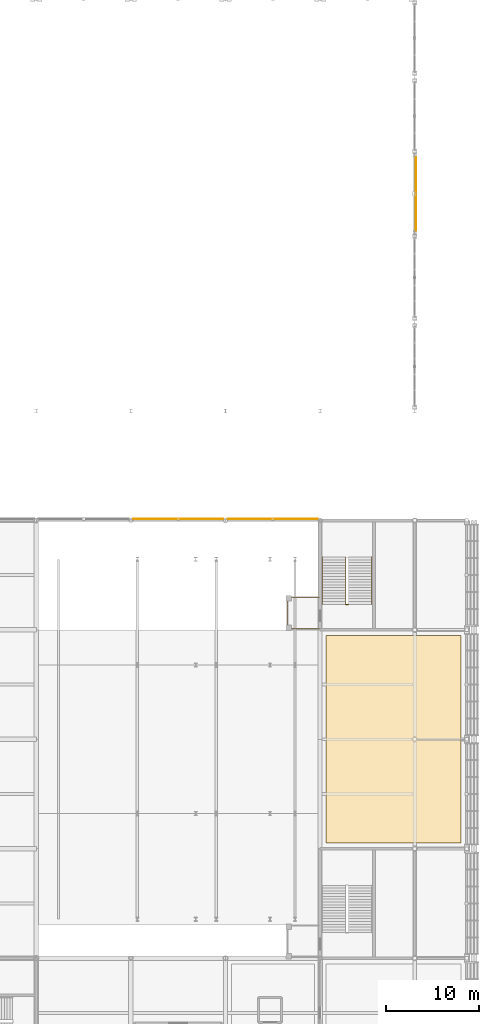
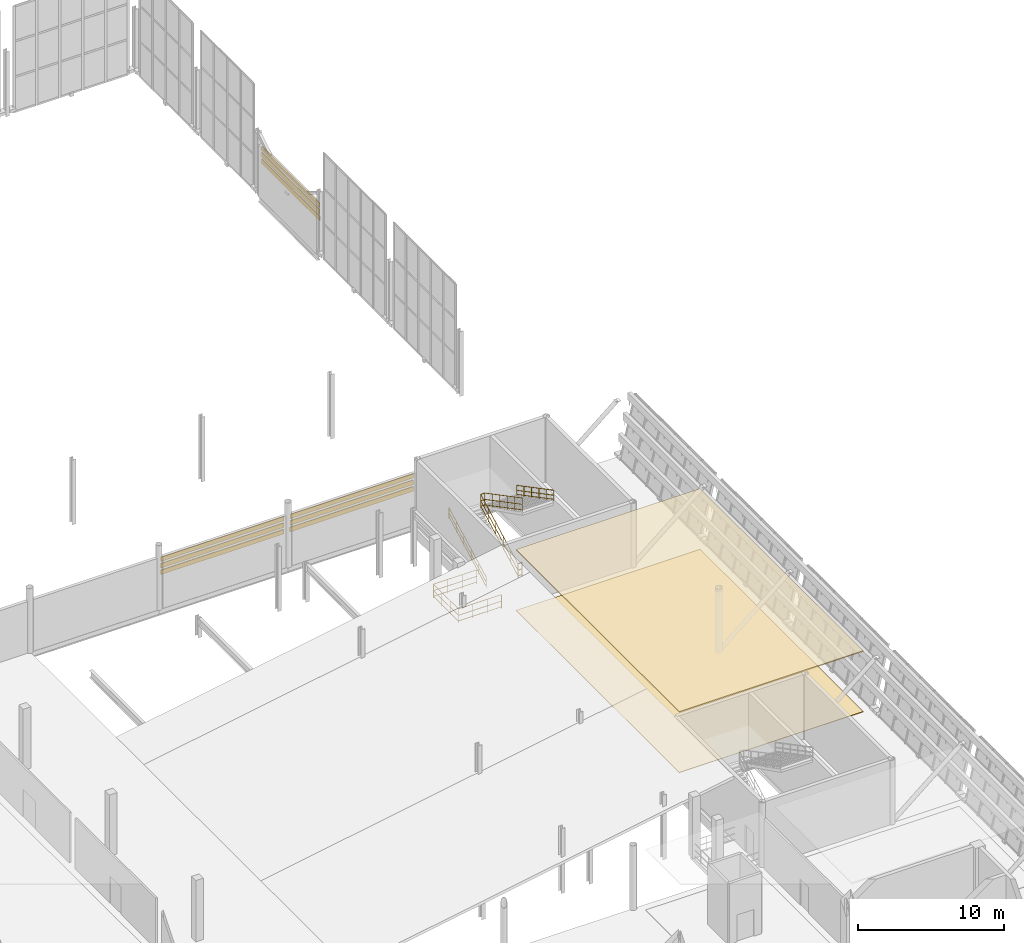
# One storey, part 172 of 175: 11 coverings, 5 railings.
"""IFC4 building model written with IfcOpenShell, lengths in metres."""

from ifc_helpers import new_model, si_unit, direction, frame, origin, origin_2d, place, context, subcontext, project, spatial, polyline, circle, outline, extrude, material, layer, layer_set, type_object, element, save


model = new_model("IFC4")

# Units and contexts
model_context = context("Model", 3, precision=1e-05, world=origin(), true_north=direction((0.0, 1.0)))
body_context = subcontext(model_context, "Body", "Model", "MODEL_VIEW")
ifc_project = project(units=[si_unit("LENGTHUNIT", "METRE"), si_unit("AREAUNIT", "SQUARE_METRE"), si_unit("VOLUMEUNIT", "CUBIC_METRE"), si_unit("PLANEANGLEUNIT", "RADIAN"), si_unit("MASSUNIT", "GRAM", prefix="KILO")], contexts=[model_context])

# Site, building, storey
site_placement = place(None, origin())
site = spatial("IfcSite", under=ifc_project, at=site_placement, CompositionType="ELEMENT")
building_placement = place(site_placement, origin())
building = spatial("IfcBuilding", under=site, at=building_placement, Name="Brelvane Convention Centre", CompositionType="ELEMENT")
storey_placement = place(building_placement, frame((0.0, 0.0, 5.39990234375)))
storey = spatial("IfcBuildingStorey", under=building, at=storey_placement, Name="L01", CompositionType="ELEMENT", Elevation=5.39990234375)

# Coverings
ifc_material_1 = material(Name="Patinated Copper-Bronze Alloy C22000")
ifc_layer_1 = layer(ifc_material_1, 0.044921875)
ifc_layer_set_1 = layer_set([ifc_layer_1], Name="Patinated Copper-Bronze Alloy C22000")
covering_type_1 = type_object("IfcCoveringType", Name="Envelope Covering CL-CU1", PredefinedType="CLADDING", material=ifc_layer_set_1)
covering_1_placement = place(storey_placement, frame((0.0, 0.0, 3.77001953125)))
element("IfcCovering", 1, at=covering_1_placement, inside=storey, type_object=covering_type_1, Name="Copper-Bronze Hull Band L01-V2N-L01-4-1", PredefinedType="CLADDING", context=body_context, shape_type="SweptSolid", body=[
    extrude(outline(polyline([(194.0400390625, 87.9208984375), (203.760009765625, 87.9208984375), (203.760009765625, 87.966064453125), (194.0400390625, 87.966064453125), (194.0400390625, 87.9208984375)])), origin(), (0.0, 0.0, 1.0), 0.380126953125),
])
covering_2_placement = place(storey_placement, frame((0.0, 0.0, 3.77001953125)))
element("IfcCovering", 2, at=covering_2_placement, inside=storey, type_object=covering_type_1, Name="Copper-Bronze Hull Band L01-V2N-L01-5-1", PredefinedType="CLADDING", context=body_context, shape_type="SweptSolid", body=[
    extrude(outline(polyline([(204.239990234375, 87.9208984375), (213.9599609375, 87.9208984375), (213.9599609375, 87.966064453125), (204.239990234375, 87.966064453125), (204.239990234375, 87.9208984375)])), origin(), (0.0, 0.0, 1.0), 0.380126953125),
])
covering_3_placement = place(storey_placement, frame((0.0, 0.0, 3.77001953125)))
element("IfcCovering", 3, at=covering_3_placement, inside=storey, type_object=covering_type_1, Name="Copper-Bronze Hull Band L01-V3E-L01-3-1", PredefinedType="CLADDING", context=body_context, shape_type="SweptSolid", body=[
    extrude(outline(polyline([(224.56591796875, 119.0400390625), (224.56591796875, 126.9599609375), (224.52099609375, 126.9599609375), (224.52099609375, 119.0400390625), (224.56591796875, 119.0400390625)])), origin(), (0.0, 0.0, 1.0), 0.380126953125),
])
ifc_material_2 = material(Name="Patinated Copper-Bronze Alloy C22000")
ifc_layer_2 = layer(ifc_material_2, 0.054931640625)
ifc_layer_set_2 = layer_set([ifc_layer_2], Name="Patinated Copper-Bronze Alloy C22000")
covering_type_2 = type_object("IfcCoveringType", Name="Envelope Covering CL-CU2", PredefinedType="CLADDING", material=ifc_layer_set_2)
covering_4_placement = place(storey_placement, frame((0.0, 0.0, 3.22021484375)))
element("IfcCovering", 4, at=covering_4_placement, inside=storey, type_object=covering_type_2, Name="Copper-Bronze Hull Band L01-V2N-L01-4-2", PredefinedType="CLADDING", context=body_context, shape_type="SweptSolid", body=[
    extrude(outline(polyline([(194.0400390625, 87.9208984375), (203.760009765625, 87.9208984375), (203.760009765625, 87.97607421875), (194.0400390625, 87.97607421875), (194.0400390625, 87.9208984375)])), origin(), (0.0, 0.0, 1.0), 0.3798828125),
])
covering_5_placement = place(storey_placement, frame((0.0, 0.0, 3.22021484375)))
element("IfcCovering", 5, at=covering_5_placement, inside=storey, type_object=covering_type_2, Name="Copper-Bronze Hull Band L01-V2N-L01-5-2", PredefinedType="CLADDING", context=body_context, shape_type="SweptSolid", body=[
    extrude(outline(polyline([(204.239990234375, 87.9208984375), (213.9599609375, 87.9208984375), (213.9599609375, 87.97607421875), (204.239990234375, 87.97607421875), (204.239990234375, 87.9208984375)])), origin(), (0.0, 0.0, 1.0), 0.3798828125),
])
covering_6_placement = place(storey_placement, frame((0.0, 0.0, 3.22021484375)))
element("IfcCovering", 6, at=covering_6_placement, inside=storey, type_object=covering_type_2, Name="Copper-Bronze Hull Band L01-V3E-L01-3-2", PredefinedType="CLADDING", context=body_context, shape_type="SweptSolid", body=[
    extrude(outline(polyline([(224.575927734375, 119.0400390625), (224.575927734375, 126.9599609375), (224.52099609375, 126.9599609375), (224.52099609375, 119.0400390625), (224.575927734375, 119.0400390625)])), origin(), (0.0, 0.0, 1.0), 0.3798828125),
])
ifc_material_3 = material(Name="Patinated Copper-Bronze Alloy C22000")
ifc_layer_3 = layer(ifc_material_3, 0.06494140625)
ifc_layer_set_3 = layer_set([ifc_layer_3], Name="Patinated Copper-Bronze Alloy C22000")
covering_type_3 = type_object("IfcCoveringType", Name="Envelope Covering CL-CU3", PredefinedType="CLADDING", material=ifc_layer_set_3)
covering_7_placement = place(storey_placement, frame((0.0, 0.0, 2.670166015625)))
element("IfcCovering", 7, at=covering_7_placement, inside=storey, type_object=covering_type_3, Name="Copper-Bronze Hull Band L01-V2N-L01-4-3", PredefinedType="CLADDING", context=body_context, shape_type="SweptSolid", body=[
    extrude(outline(polyline([(194.0400390625, 87.9208984375), (203.760009765625, 87.9208984375), (203.760009765625, 87.986083984375), (194.0400390625, 87.986083984375), (194.0400390625, 87.9208984375)])), origin(), (0.0, 0.0, 1.0), 0.3798828125),
])
covering_8_placement = place(storey_placement, frame((0.0, 0.0, 2.670166015625)))
element("IfcCovering", 8, at=covering_8_placement, inside=storey, type_object=covering_type_3, Name="Copper-Bronze Hull Band L01-V2N-L01-5-3", PredefinedType="CLADDING", context=body_context, shape_type="SweptSolid", body=[
    extrude(outline(polyline([(204.239990234375, 87.9208984375), (213.9599609375, 87.9208984375), (213.9599609375, 87.986083984375), (204.239990234375, 87.986083984375), (204.239990234375, 87.9208984375)])), origin(), (0.0, 0.0, 1.0), 0.3798828125),
])
covering_9_placement = place(storey_placement, frame((0.0, 0.0, 2.670166015625)))
element("IfcCovering", 9, at=covering_9_placement, inside=storey, type_object=covering_type_3, Name="Copper-Bronze Hull Band L01-V3E-L01-3-3", PredefinedType="CLADDING", context=body_context, shape_type="SweptSolid", body=[
    extrude(outline(polyline([(224.5859375, 119.0400390625), (224.5859375, 126.9599609375), (224.52099609375, 126.9599609375), (224.52099609375, 119.0400390625), (224.5859375, 119.0400390625)])), origin(), (0.0, 0.0, 1.0), 0.3798828125),
])
ifc_material_4 = material(Name="Perforated Anodised Aluminium Alloy 6063 Acoustic Baffle", Category="aluminium")
ifc_layer_4 = layer(ifc_material_4, 0.090087890625)
ifc_layer_set_4 = layer_set([ifc_layer_4], Name="Perforated Anodised Aluminium Alloy 6063 Acoustic Baffle")
covering_type_4 = type_object("IfcCoveringType", Name="Interior Finish CL-BAF-90", PredefinedType="CEILING", material=ifc_layer_set_4)
covering_10_placement = place(storey_placement, frame((0.0, 0.0, 5.030029296875)))
element("IfcCovering", 10, at=covering_10_placement, inside=storey, type_object=covering_type_4, Name="Pre-function Foyer Plenary East Acoustic Ceiling (CL-BAF-90)", PredefinedType="CEILING", context=body_context, shape_type="SweptSolid", body=[
    extrude(outline(polyline([(214.830078125, 53.030029296875), (229.3701171875, 53.030029296875), (229.3701171875, 75.3701171875), (214.830078125, 75.3701171875), (214.830078125, 53.030029296875)])), origin(), (0.0, 0.0, 1.0), 0.090087890625),
])
ifc_material_5 = material(Name="Heavy-Duty Quartz-Filled Industrial Epoxy Screed Grade A")
ifc_layer_5 = layer(ifc_material_5, 0.034912109375)
ifc_layer_set_5 = layer_set([ifc_layer_5], Name="Heavy-Duty Quartz-Filled Industrial Epoxy Screed Grade A")
covering_type_5 = type_object("IfcCoveringType", Name="Interior Finish FL-EPX-35", PredefinedType="FLOORING", material=ifc_layer_set_5)
covering_11_placement = place(storey_placement, origin())
element("IfcCovering", 11, at=covering_11_placement, inside=storey, type_object=covering_type_5, Name="Pre-function Foyer Plenary East Floor Finish (FL-EPX-35)", PredefinedType="FLOORING", context=body_context, shape_type="SweptSolid", body=[
    extrude(outline(polyline([(214.830078125, 53.030029296875), (229.3701171875, 53.030029296875), (229.3701171875, 75.3701171875), (214.830078125, 75.3701171875), (214.830078125, 53.030029296875)])), origin(), (0.0, 0.0, 1.0), 0.03515625),
])

# Railings
ifc_material_6 = material(Name="Steel E350 (350 MPa)", Category="steel")
railing_type_1 = type_object("IfcRailingType", Name="Railing BL-ATR-1", PredefinedType="BALUSTRADE", material=ifc_material_6)
railing_1_placement = place(storey_placement, frame((214.10009765625, 79.5, 0.0)))
element("IfcRailing", 12, at=railing_1_placement, inside=storey, type_object=railing_type_1, Name="Railing BL-ATR-1 L01-plen_vom_n_guard", PredefinedType="BALUSTRADE", context=body_context, shape_type="SweptSolid", body=[
    extrude(circle(Radius=0.02392578125, at=origin_2d()), frame((0.0, 0.0, 1.15576171875), z_axis=(-1.0, 0.0, 0.0), x_axis=(0.0, -1.0, 0.0)), (0.0, 0.0, 1.0), 3.400146484375),
    extrude(circle(Radius=0.02392578125, at=origin_2d()), frame((0.0, 0.0, 0.613525390625), z_axis=(-1.0, 0.0, 0.0), x_axis=(0.0, -1.0, 0.0)), (0.0, 0.0, 1.0), 3.400146484375),
    extrude(circle(Radius=0.02392578125, at=origin_2d()), frame((0.0, 0.0, 0.139892578125), z_axis=(-1.0, 0.0, 0.0), x_axis=(0.0, -1.0, 0.0)), (0.0, 0.0, 1.0), 3.400146484375),
    extrude(circle(Radius=0.02392578125, at=origin_2d()), frame((-3.400146484375, 0.0, 1.15576171875), z_axis=(0.0, -1.0, 0.0), x_axis=(1.0, 0.0, 0.0)), (0.0, 0.0, 1.0), 3.39990234375),
    extrude(circle(Radius=0.02392578125, at=origin_2d()), frame((-3.400146484375, 0.0, 0.613525390625), z_axis=(0.0, -1.0, 0.0), x_axis=(1.0, 0.0, 0.0)), (0.0, 0.0, 1.0), 3.39990234375),
    extrude(circle(Radius=0.02392578125, at=origin_2d()), frame((-3.400146484375, 0.0, 0.139892578125), z_axis=(0.0, -1.0, 0.0), x_axis=(1.0, 0.0, 0.0)), (0.0, 0.0, 1.0), 3.39990234375),
    extrude(circle(Radius=0.02392578125, at=origin_2d()), frame((-3.400146484375, -3.39990234375, 1.15576171875), z_axis=(1.0, 0.0, 0.0), x_axis=(0.0, 1.0, 0.0)), (0.0, 0.0, 1.0), 3.400146484375),
    extrude(circle(Radius=0.02392578125, at=origin_2d()), frame((-3.400146484375, -3.39990234375, 0.613525390625), z_axis=(1.0, 0.0, 0.0), x_axis=(0.0, 1.0, 0.0)), (0.0, 0.0, 1.0), 3.400146484375),
    extrude(circle(Radius=0.02392578125, at=origin_2d()), frame((-3.400146484375, -3.39990234375, 0.139892578125), z_axis=(1.0, 0.0, 0.0), x_axis=(0.0, 1.0, 0.0)), (0.0, 0.0, 1.0), 3.400146484375),
    extrude(circle(Radius=0.02099609375, at=origin_2d()), origin(), (0.0, 0.0, 1.0), 1.1318359375),
    extrude(circle(Radius=0.02099609375, at=origin_2d()), frame((-1.13330078125, 0.0, 0.0)), (0.0, 0.0, 1.0), 1.1318359375),
    extrude(circle(Radius=0.02099609375, at=origin_2d()), frame((-2.266845703125, 0.0, 0.0)), (0.0, 0.0, 1.0), 1.1318359375),
    extrude(circle(Radius=0.02099609375, at=origin_2d()), frame((-3.400146484375, 0.0, 0.0)), (0.0, 0.0, 1.0), 1.1318359375),
    extrude(circle(Radius=0.02099609375, at=origin_2d()), frame((-3.400146484375, -1.13330078125, 0.0)), (0.0, 0.0, 1.0), 1.1318359375),
    extrude(circle(Radius=0.02099609375, at=origin_2d()), frame((-3.400146484375, -2.2666015625, 0.0)), (0.0, 0.0, 1.0), 1.1318359375),
    extrude(circle(Radius=0.02099609375, at=origin_2d()), frame((-3.400146484375, -3.39990234375, 0.0)), (0.0, 0.0, 1.0), 1.1318359375),
    extrude(circle(Radius=0.02099609375, at=origin_2d()), frame((-2.266845703125, -3.39990234375, 0.0)), (0.0, 0.0, 1.0), 1.1318359375),
    extrude(circle(Radius=0.02099609375, at=origin_2d()), frame((-1.13330078125, -3.39990234375, 0.0)), (0.0, 0.0, 1.0), 1.1318359375),
    extrude(circle(Radius=0.02099609375, at=origin_2d()), frame((0.0, -3.39990234375, 0.0)), (0.0, 0.0, 1.0), 1.1318359375),
])
ifc_material_7 = material(Name="Steel E350 (350 MPa)", Category="steel")
railing_type_2 = type_object("IfcRailingType", Name="Stair Railing GR-ST-1", PredefinedType="GUARDRAIL", material=ifc_material_7)
railing_2_placement = place(storey_placement, frame((216.93994140625, 78.75, -0.02001953125)))
element("IfcRailing", 13, at=railing_2_placement, inside=storey, type_object=railing_type_2, Name="Stair ST-16 L01 Inner Well Guard", PredefinedType="GUARDRAIL", context=body_context, shape_type="SweptSolid", body=[
    extrude(circle(Radius=0.02392578125, at=origin_2d()), frame((0.0, 0.0, 1.1259765625), z_axis=(0.0, 0.882341248864, 0.470610157724), x_axis=(-1.0, 0.0, 0.0)), (0.0, 0.0, 1.0), 5.7802734375),
    extrude(circle(Radius=0.02392578125, at=origin_2d()), frame((0.0, 0.0, 0.597900390625), z_axis=(0.0, 0.882341248864, 0.470610157724), x_axis=(-1.0, 0.0, 0.0)), (0.0, 0.0, 1.0), 5.7802734375),
    extrude(circle(Radius=0.02392578125, at=origin_2d()), frame((0.0, 0.0, 0.139892578125), z_axis=(0.0, 0.882341248864, 0.470610157724), x_axis=(-1.0, 0.0, 0.0)), (0.0, 0.0, 1.0), 5.7802734375),
    extrude(circle(Radius=0.02392578125, at=origin_2d()), frame((0.0, 5.10009765625, 3.84619140625), z_axis=(1.0, 0.0, 0.0), x_axis=(0.0, 1.0, 0.0)), (0.0, 0.0, 1.0), 0.320068359375),
    extrude(circle(Radius=0.02392578125, at=origin_2d()), frame((0.0, 5.10009765625, 3.318115234375), z_axis=(1.0, 0.0, 0.0), x_axis=(0.0, 1.0, 0.0)), (0.0, 0.0, 1.0), 0.320068359375),
    extrude(circle(Radius=0.02392578125, at=origin_2d()), frame((0.0, 5.10009765625, 2.860107421875), z_axis=(1.0, 0.0, 0.0), x_axis=(0.0, 1.0, 0.0)), (0.0, 0.0, 1.0), 0.320068359375),
    extrude(circle(Radius=0.02392578125, at=origin_2d()), frame((0.320068359375, 5.10009765625, 3.84619140625), z_axis=(0.0, -0.885227801088, 0.465157758379), x_axis=(1.0, 0.0, 0.0)), (0.0, 0.0, 1.0), 5.76123046875),
    extrude(circle(Radius=0.02392578125, at=origin_2d()), frame((0.320068359375, 5.10009765625, 3.318115234375), z_axis=(0.0, -0.885227801088, 0.465157758379), x_axis=(1.0, 0.0, 0.0)), (0.0, 0.0, 1.0), 5.76123046875),
    extrude(circle(Radius=0.02392578125, at=origin_2d()), frame((0.320068359375, 5.10009765625, 2.860107421875), z_axis=(0.0, -0.885227801088, 0.465157758379), x_axis=(1.0, 0.0, 0.0)), (0.0, 0.0, 1.0), 5.76123046875),
    extrude(circle(Radius=0.02099609375, at=origin_2d()), origin(), (0.0, 0.0, 1.0), 1.101806640625),
    extrude(circle(Radius=0.02099609375, at=origin_2d()), frame((0.0, 1.02001953125, 0.5439453125)), (0.0, 0.0, 1.0), 1.101806640625),
    extrude(circle(Radius=0.02099609375, at=origin_2d()), frame((0.0, 2.0400390625, 1.088134765625)), (0.0, 0.0, 1.0), 1.101806640625),
    extrude(circle(Radius=0.02099609375, at=origin_2d()), frame((0.0, 3.06005859375, 1.632080078125)), (0.0, 0.0, 1.0), 1.101806640625),
    extrude(circle(Radius=0.02099609375, at=origin_2d()), frame((0.0, 4.080078125, 2.17626953125)), (0.0, 0.0, 1.0), 1.101806640625),
    extrude(circle(Radius=0.02099609375, at=origin_2d()), frame((0.0, 5.10009765625, 2.72021484375)), (0.0, 0.0, 1.0), 1.101806640625),
    extrude(circle(Radius=0.02099609375, at=origin_2d()), frame((0.320068359375, 5.10009765625, 2.72021484375)), (0.0, 0.0, 1.0), 1.101806640625),
    extrude(circle(Radius=0.02099609375, at=origin_2d()), frame((0.320068359375, 4.080078125, 3.256103515625)), (0.0, 0.0, 1.0), 1.101806640625),
    extrude(circle(Radius=0.02099609375, at=origin_2d()), frame((0.320068359375, 3.06005859375, 3.792236328125)), (0.0, 0.0, 1.0), 1.101806640625),
    extrude(circle(Radius=0.02099609375, at=origin_2d()), frame((0.320068359375, 2.0400390625, 4.328125)), (0.0, 0.0, 1.0), 1.101806640625),
    extrude(circle(Radius=0.02099609375, at=origin_2d()), frame((0.320068359375, 1.02001953125, 4.8642578125)), (0.0, 0.0, 1.0), 1.101806640625),
    extrude(circle(Radius=0.02099609375, at=origin_2d()), frame((0.320068359375, 0.0, 5.400146484375)), (0.0, 0.0, 1.0), 1.101806640625),
])
ifc_material_8 = material(Name="Steel E350 (350 MPa)", Category="steel")
railing_type_3 = type_object("IfcRailingType", Name="Stair Railing GR-ST-2", PredefinedType="GUARDRAIL", material=ifc_material_8)
railing_3_placement = place(storey_placement, frame((216.93994140625, 78.75, -0.02001953125)))
element("IfcRailing", 14, at=railing_3_placement, inside=storey, type_object=railing_type_3, Name="Stair ST-16 L01 Landing Well Guard", PredefinedType="GUARDRAIL", context=body_context, shape_type="SweptSolid", body=[
    extrude(circle(Radius=0.02392578125, at=origin_2d()), frame((0.0, 0.0, 1.15576171875), z_axis=(1.0, 0.0, 0.0), x_axis=(0.0, 1.0, 0.0)), (0.0, 0.0, 1.0), 0.320068359375),
    extrude(circle(Radius=0.02392578125, at=origin_2d()), frame((0.0, 0.0, 0.613525390625), z_axis=(1.0, 0.0, 0.0), x_axis=(0.0, 1.0, 0.0)), (0.0, 0.0, 1.0), 0.320068359375),
    extrude(circle(Radius=0.02392578125, at=origin_2d()), frame((0.0, 0.0, 0.139892578125), z_axis=(1.0, 0.0, 0.0), x_axis=(0.0, 1.0, 0.0)), (0.0, 0.0, 1.0), 0.320068359375),
    extrude(circle(Radius=0.02099609375, at=origin_2d()), origin(), (0.0, 0.0, 1.0), 1.1318359375),
    extrude(circle(Radius=0.02099609375, at=origin_2d()), frame((0.320068359375, 0.0, 0.0)), (0.0, 0.0, 1.0), 1.1318359375),
])
ifc_material_9 = material(Name="Steel E350 (350 MPa)", Category="steel")
railing_type_4 = type_object("IfcRailingType", Name="Stair Railing HR-ST-1", PredefinedType="HANDRAIL", material=ifc_material_9)
railing_4_placement = place(storey_placement, frame((214.429931640625, 78.75, -0.02001953125)))
element("IfcRailing", 15, at=railing_4_placement, inside=storey, type_object=railing_type_4, Name="Stair ST-16 L01 Outer Handrail F1", PredefinedType="HANDRAIL", context=body_context, shape_type="SweptSolid", body=[
    extrude(circle(Radius=0.02392578125, at=origin_2d()), frame((0.0, 0.0, 0.89599609375), z_axis=(0.0, 0.882341248864, 0.470610157724), x_axis=(-1.0, 0.0, 0.0)), (0.0, 0.0, 1.0), 5.7802734375),
    extrude(circle(Radius=0.02392578125, at=origin_2d()), frame((0.0, 0.0, 0.478271484375), z_axis=(0.0, 0.882341248864, 0.470610157724), x_axis=(-1.0, 0.0, 0.0)), (0.0, 0.0, 1.0), 5.7802734375),
    extrude(circle(Radius=0.02392578125, at=origin_2d()), frame((0.0, 0.0, 0.139892578125), z_axis=(0.0, 0.882341248864, 0.470610157724), x_axis=(-1.0, 0.0, 0.0)), (0.0, 0.0, 1.0), 5.7802734375),
    extrude(circle(Radius=0.02099609375, at=origin_2d()), origin(), (0.0, 0.0, 1.0), 0.871826171875),
    extrude(circle(Radius=0.02099609375, at=origin_2d()), frame((0.0, 1.02001953125, 0.5439453125)), (0.0, 0.0, 1.0), 0.871826171875),
    extrude(circle(Radius=0.02099609375, at=origin_2d()), frame((0.0, 2.0400390625, 1.088134765625)), (0.0, 0.0, 1.0), 0.871826171875),
    extrude(circle(Radius=0.02099609375, at=origin_2d()), frame((0.0, 3.06005859375, 1.632080078125)), (0.0, 0.0, 1.0), 0.871826171875),
    extrude(circle(Radius=0.02099609375, at=origin_2d()), frame((0.0, 4.080078125, 2.17626953125)), (0.0, 0.0, 1.0), 0.871826171875),
    extrude(circle(Radius=0.02099609375, at=origin_2d()), frame((0.0, 5.10009765625, 2.72021484375)), (0.0, 0.0, 1.0), 0.871826171875),
])
railing_5_placement = place(storey_placement, frame((219.77001953125, 83.85009765625, 2.7001953125)))
element("IfcRailing", 16, at=railing_5_placement, inside=storey, type_object=railing_type_4, Name="Stair ST-16 L01 Outer Handrail F2", PredefinedType="HANDRAIL", context=body_context, shape_type="SweptSolid", body=[
    extrude(circle(Radius=0.02392578125, at=origin_2d()), frame((0.0, 0.0, 0.89599609375), z_axis=(0.0, -0.885227801088, 0.465157758379), x_axis=(1.0, 0.0, 0.0)), (0.0, 0.0, 1.0), 5.76123046875),
    extrude(circle(Radius=0.02392578125, at=origin_2d()), frame((0.0, 0.0, 0.478271484375), z_axis=(0.0, -0.885227801088, 0.465157758379), x_axis=(1.0, 0.0, 0.0)), (0.0, 0.0, 1.0), 5.76123046875),
    extrude(circle(Radius=0.02392578125, at=origin_2d()), frame((0.0, 0.0, 0.139892578125), z_axis=(0.0, -0.885227801088, 0.465157758379), x_axis=(1.0, 0.0, 0.0)), (0.0, 0.0, 1.0), 5.76123046875),
    extrude(circle(Radius=0.02099609375, at=origin_2d()), origin(), (0.0, 0.0, 1.0), 0.871826171875),
    extrude(circle(Radius=0.02099609375, at=origin_2d()), frame((0.0, -1.02001953125, 0.535888671875)), (0.0, 0.0, 1.0), 0.871826171875),
    extrude(circle(Radius=0.02099609375, at=origin_2d()), frame((0.0, -2.0400390625, 1.072021484375)), (0.0, 0.0, 1.0), 0.871826171875),
    extrude(circle(Radius=0.02099609375, at=origin_2d()), frame((0.0, -3.06005859375, 1.60791015625)), (0.0, 0.0, 1.0), 0.871826171875),
    extrude(circle(Radius=0.02099609375, at=origin_2d()), frame((0.0, -4.080078125, 2.14404296875)), (0.0, 0.0, 1.0), 0.871826171875),
    extrude(circle(Radius=0.02099609375, at=origin_2d()), frame((0.0, -5.10009765625, 2.679931640625)), (0.0, 0.0, 1.0), 0.871826171875),
])

save(model, "model.ifc")
